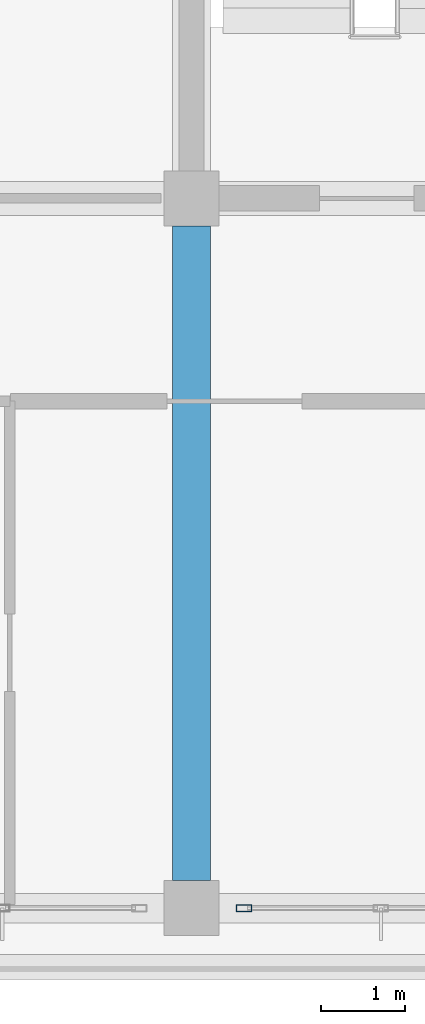
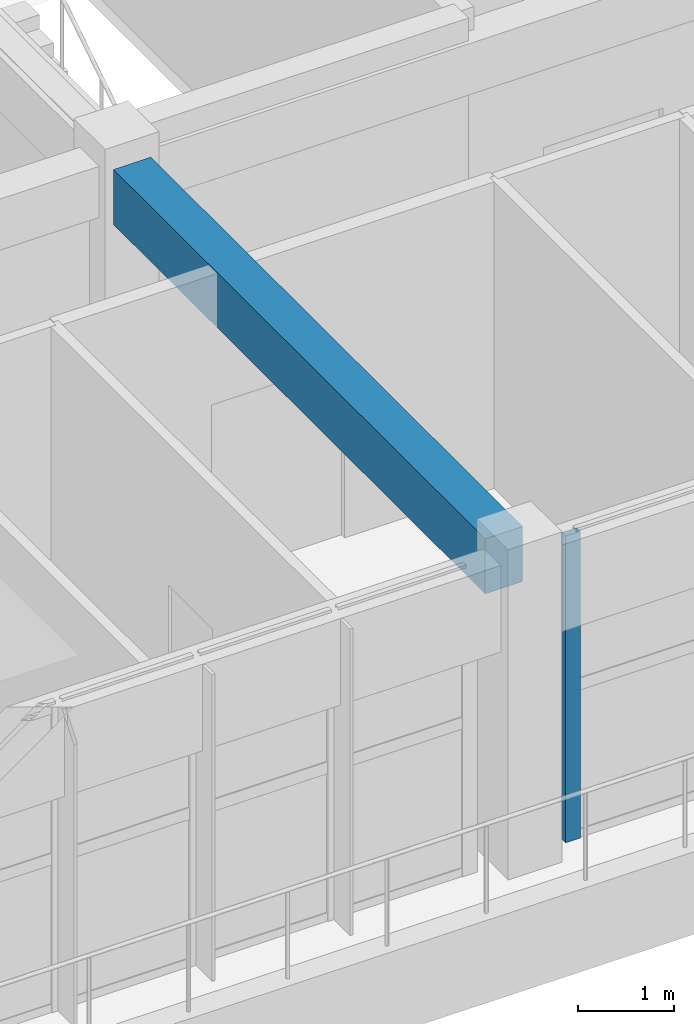
# One storey, part 16 of 63: 1 beam, 1 member, 1 element without a shape of its own.
"""IFC4 building model written with IfcOpenShell, lengths in metres."""

from ifc_helpers import new_model, si_unit, direction, frame, origin, origin_2d, place, context, subcontext, project, spatial, rectangle, hollow_rectangle, extrude, material, layer, layer_set, material_profile, profile_set, type_object, element, aggregate, save


model = new_model("IFC4")

# Units and contexts
model_context = context("Model", 3, precision=1e-05, world=origin(), true_north=direction((0.0, 1.0)))
body_context = subcontext(model_context, "Body", "Model", "MODEL_VIEW")
ifc_project = project(units=[si_unit("LENGTHUNIT", "METRE"), si_unit("AREAUNIT", "SQUARE_METRE"), si_unit("VOLUMEUNIT", "CUBIC_METRE"), si_unit("PLANEANGLEUNIT", "RADIAN"), si_unit("MASSUNIT", "GRAM", prefix="KILO")], contexts=[model_context])

# Site, building, storey
site_placement = place(None, origin())
site = spatial("IfcSite", under=ifc_project, at=site_placement, CompositionType="ELEMENT")
building_placement = place(site_placement, origin())
building = spatial("IfcBuilding", under=site, at=building_placement, Name="Zizhar Promenade General Hospital", CompositionType="ELEMENT")
storey_placement = place(building_placement, frame((0.0, 0.0, 18.0)))
storey = spatial("IfcBuildingStorey", under=building, at=storey_placement, Name="L04", CompositionType="ELEMENT", Elevation=18.0)

# Beam
ifc_material_1 = material(Name="Concrete C35/45", Category="concrete")
ifc_material_profile_1 = material_profile(ifc_material_1, rectangle(XDim=0.449951171875, YDim=0.699951171875, at=origin_2d()))
ifc_profile_set_1 = profile_set([ifc_material_profile_1], Name="Concrete C35/45")
beam_type = type_object("IfcBeamType", Name="BM-RC-450x700", PredefinedType="BEAM", material=ifc_profile_set_1)
beam_placement = place(storey_placement, frame((78.0, 0.324951171875, 3.56005859375), z_axis=(0.0, 1.0, 0.0), x_axis=(-1.0, 0.0, 0.0)))
element("IfcBeam", 1, at=beam_placement, inside=storey, type_object=beam_type, Name="Grid Beam Y L04 (10-0)", PredefinedType="BEAM", context=body_context, shape_type="SweptSolid", body=[
    extrude(rectangle(XDim=0.449951171875, YDim=0.699951171875, at=origin_2d()), origin(), (0.0, 0.0, 1.0), 7.75),
])

# Curtain wall, member
ifc_material_2 = material(Name="Anodised aluminium 6063-T6 and low-E glass", Category="aluminium")
ifc_layer = layer(ifc_material_2, 0.159912109375)
ifc_layer_set = layer_set([ifc_layer], Name="Anodised aluminium 6063-T6 and low-E glass")
curtain_wall_type = type_object("IfcCurtainWallType", Name="CW-WARD-RIB", PredefinedType="NOTDEFINED", material=ifc_layer_set)
curtain_wall_placement = place(storey_placement, origin())
curtain_wall = element("IfcCurtainWall", 2, at=curtain_wall_placement, inside=storey, type_object=curtain_wall_type, Name="Ward Ribbon Curtain Wall L04-17-4", PredefinedType="NOTDEFINED")
ifc_material_3 = material(Name="Anodised aluminium 6063-T6", Category="aluminium")
ifc_material_profile_2 = material_profile(ifc_material_3, hollow_rectangle(XDim=0.080078125, YDim=0.179931640625, WallThickness=0.0048828125, at=origin_2d()))
ifc_profile_set_2 = profile_set([ifc_material_profile_2], Name="Anodised aluminium 6063-T6")
member_type = type_object("IfcMemberType", Name="CWM-ALU-180x80", PredefinedType="MULLION", material=ifc_profile_set_2)
member_placement = place(storey_placement, frame((78.6201171875, 0.0, 0.0), z_axis=(0.0, 0.0, 1.0), x_axis=(0.0, -1.0, 0.0)))
member = element("IfcMember", 3, at=member_placement, type_object=member_type, Name="CW-13 mullion 5", PredefinedType="MULLION", context=body_context, shape_type="SweptSolid", body=[
    extrude(hollow_rectangle(XDim=0.080078125, YDim=0.179931640625, WallThickness=0.0048828125, at=origin_2d()), origin(), (0.0, 0.0, 1.0), 3.89990234375),
])
aggregate(curtain_wall, [member])

save(model, "model.ifc")
